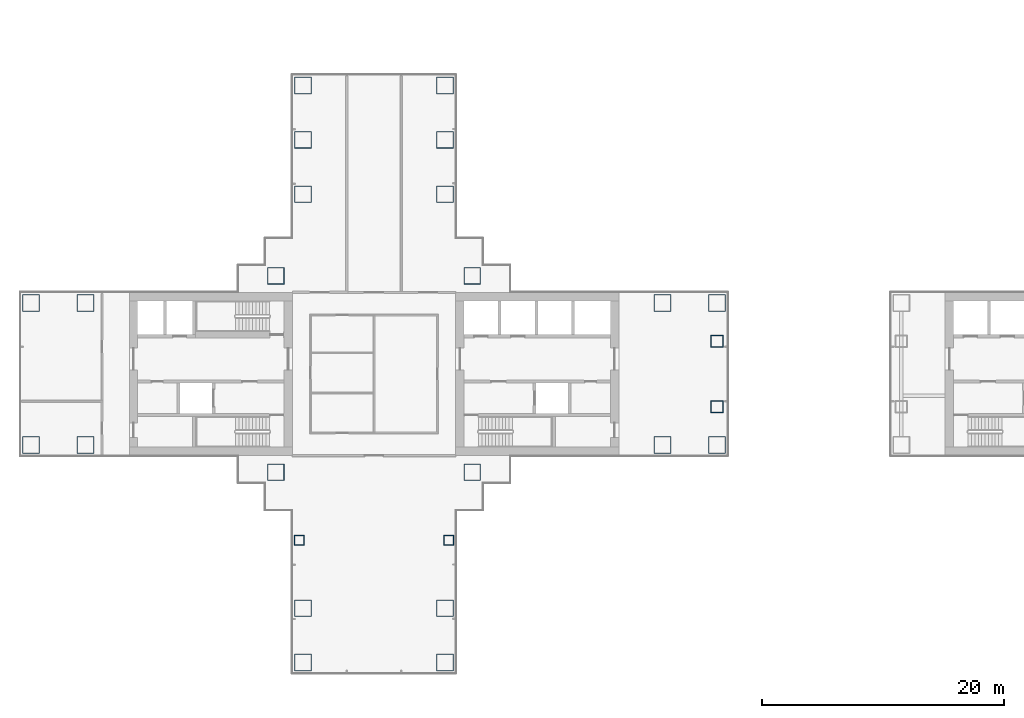
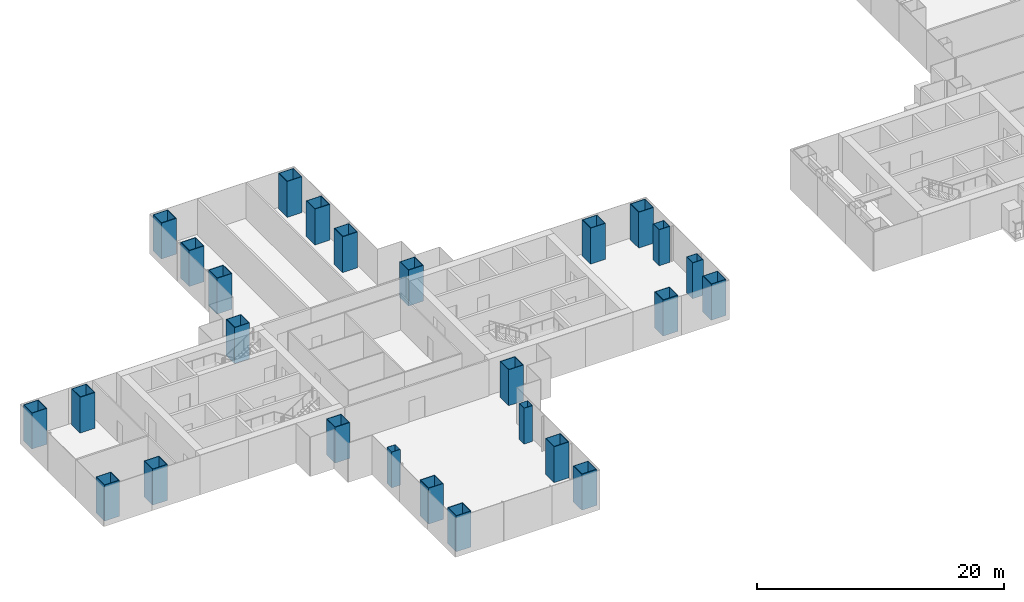
# One storey, part 1 of 21: 26 columns.
"""IFC4 building model written with IfcOpenShell, lengths in metres."""

from ifc_helpers import new_model, si_unit, direction, frame, origin, origin_2d, place, context, subcontext, project, spatial, hollow_rectangle, extrude, material, material_profile, profile_set, type_object, element, save


model = new_model("IFC4")

# Units and contexts
model_context = context("Model", 3, precision=1e-05, world=origin(), true_north=direction((0.0, 1.0)))
body_context = subcontext(model_context, "Body", "Model", "MODEL_VIEW")
ifc_project = project(units=[si_unit("LENGTHUNIT", "METRE"), si_unit("AREAUNIT", "SQUARE_METRE"), si_unit("VOLUMEUNIT", "CUBIC_METRE"), si_unit("PLANEANGLEUNIT", "RADIAN"), si_unit("MASSUNIT", "GRAM", prefix="KILO")], contexts=[model_context])

# Site, building, storey
site_placement = place(None, origin())
site = spatial("IfcSite", under=ifc_project, at=site_placement, CompositionType="ELEMENT")
building_placement = place(site_placement, origin())
building = spatial("IfcBuilding", under=site, at=building_placement, Name="Shamsa Quay Exchange Towers", CompositionType="ELEMENT")
storey_placement = place(building_placement, frame((0.0, 0.0, 53.699951171875)))
storey = spatial("IfcBuildingStorey", under=building, at=storey_placement, Name="L11", CompositionType="ELEMENT", Elevation=53.699951171875)

# Columns
ifc_material_1 = material(Name="Concrete-filled steel tube S355 / C80/95", Category="concrete")
ifc_material_profile_1 = material_profile(ifc_material_1, hollow_rectangle(XDim=1.39990234375, YDim=1.39990234375, WallThickness=0.050048828125, at=origin_2d()), Name="CFT 1400x1400x50")
ifc_profile_set_1 = profile_set([ifc_material_profile_1], Name="Concrete-filled steel tube S355 / C80/95")
column_type_1 = type_object("IfcColumnType", Name="Column CFT 1400x1400x50", PredefinedType="COLUMN", material=ifc_profile_set_1)
for number, where, name in (
    (1, (-25.625, 8.125, 0.0), "Mega column T1-CM01"),
    (2, (-25.625, -8.125, 0.0), "Mega column T1-CM02"),
    (3, (-41.875, 8.125, 0.0), "Mega column T1-CM03"),
    (4, (-41.875, -8.125, 0.0), "Mega column T1-CM04"),
    (5, (-9.875, -5.875, 0.0), "Mega column T1-CM05"),
    (6, (-5.375, -5.875, 0.0), "Mega column T1-CM06"),
    (7, (-9.875, 5.875, 0.0), "Mega column T1-CM07"),
    (8, (-5.375, 5.875, 0.0), "Mega column T1-CM08"),
    (9, (-57.625, -5.875, 0.0), "Mega column T1-CM09"),
    (10, (-62.125, -5.875, 0.0), "Mega column T1-CM10"),
    (11, (-57.625, 5.875, 0.0), "Mega column T1-CM11"),
    (12, (-62.125, 5.875, 0.0), "Mega column T1-CM12"),
    (13, (-39.625, 14.875, 0.0), "Mega column T1-CM13"),
    (14, (-39.625, 19.375, 0.0), "Mega column T1-CM14"),
    (15, (-39.625, 23.875, 0.0), "Mega column T1-CM15"),
    (16, (-27.875, 14.875, 0.0), "Mega column T1-CM16"),
    (17, (-27.875, 19.375, 0.0), "Mega column T1-CM17"),
    (18, (-27.875, 23.875, 0.0), "Mega column T1-CM18"),
    (19, (-39.625, -19.375, 0.0), "Mega column T1-CM20"),
    (20, (-39.625, -23.875, 0.0), "Mega column T1-CM21"),
    (21, (-27.875, -19.375, 0.0), "Mega column T1-CM23"),
    (22, (-27.875, -23.875, 0.0), "Mega column T1-CM24"),
):
    element("IfcColumn", number, at=place(storey_placement, frame(where)), inside=storey, type_object=column_type_1, Name=name, PredefinedType="COLUMN", context=body_context, shape_type="SweptSolid", body=[
        extrude(hollow_rectangle(XDim=1.39990234375, YDim=1.39990234375, WallThickness=0.050048828125, at=origin_2d()), origin(), (0.0, 0.0, 1.0), 3.550048828125),
    ])
ifc_material_2 = material(Name="Concrete-filled steel tube S355 / C60/75", Category="concrete")
ifc_material_profile_2 = material_profile(ifc_material_2, hollow_rectangle(XDim=0.800048828125, YDim=0.800048828125, WallThickness=0.02490234375, at=origin_2d()), Name="CFT 800x800x25")
ifc_profile_set_2 = profile_set([ifc_material_profile_2], Name="Concrete-filled steel tube S355 / C60/75")
column_type_2 = type_object("IfcColumnType", Name="Column CFT 800x800x25", PredefinedType="COLUMN", material=ifc_profile_set_2)
for number, where, name in (
    (23, (-39.9375, -13.75, 0.0), "Perimeter column T1-CP19"),
    (24, (-27.5625, -13.75, 0.0), "Perimeter column T1-CP22"),
):
    element("IfcColumn", number, at=place(storey_placement, frame(where)), inside=storey, type_object=column_type_2, Name=name, PredefinedType="COLUMN", context=body_context, shape_type="SweptSolid", body=[
        extrude(hollow_rectangle(XDim=0.800048828125, YDim=0.800048828125, WallThickness=0.02490234375, at=origin_2d()), origin(), (0.0, 0.0, 1.0), 3.550048828125),
    ])
ifc_material_3 = material(Name="Concrete-filled steel tube S355 / C70/85", Category="concrete")
ifc_material_profile_3 = material_profile(ifc_material_3, hollow_rectangle(XDim=1.0, YDim=1.0, WallThickness=0.0400390625, at=origin_2d()), Name="CFT 1000x1000x40")
ifc_profile_set_3 = profile_set([ifc_material_profile_3], Name="Concrete-filled steel tube S355 / C70/85")
column_type_3 = type_object("IfcColumnType", Name="Landing column CFT 1000x1000x40", PredefinedType="COLUMN", material=ifc_profile_set_3)
for number, where, name in (
    (25, (-5.375, -2.699951171875, 0.0), "Landing column T1 S"),
    (26, (-5.375, 2.699951171875, 0.0), "Landing column T1 N"),
):
    element("IfcColumn", number, at=place(storey_placement, frame(where)), inside=storey, type_object=column_type_3, Name=name, PredefinedType="COLUMN", context=body_context, shape_type="SweptSolid", body=[
        extrude(hollow_rectangle(XDim=1.0, YDim=1.0, WallThickness=0.0400390625, at=origin_2d()), origin(), (0.0, 0.0, 1.0), 3.550048828125),
    ])

save(model, "model.ifc")
